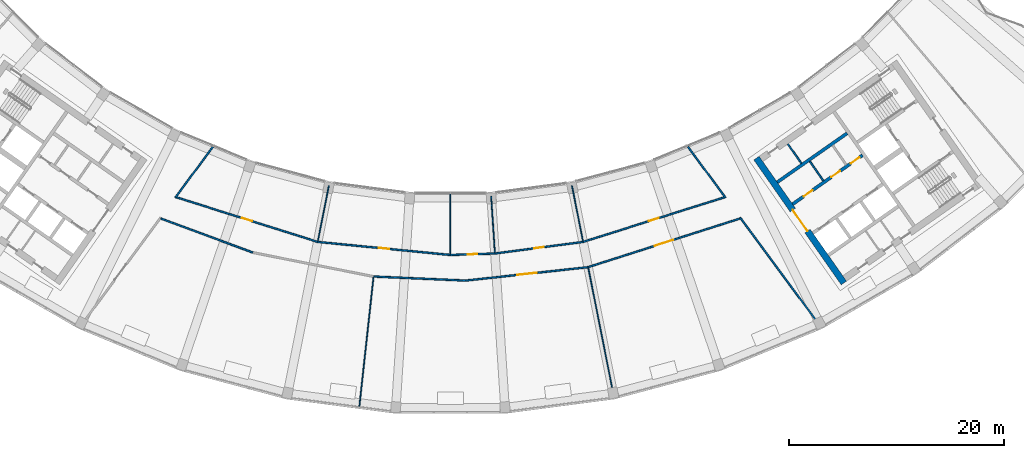
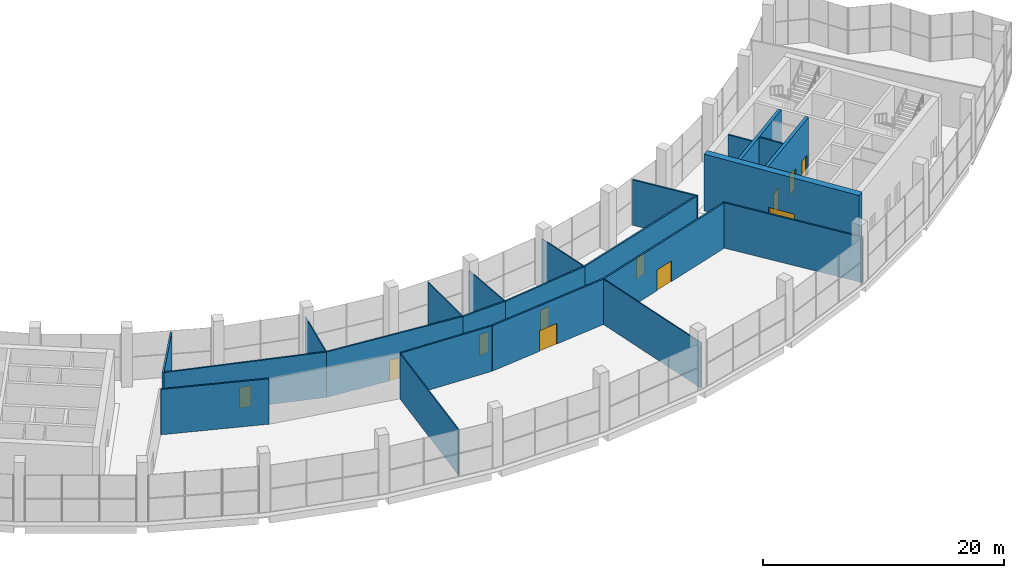
# One storey, part 4 of 41: 23 walls, 11 doors, 11 openings.
"""IFC4 building model written with IfcOpenShell, lengths in metres."""

from ifc_helpers import new_model, si_unit, direction, frame, frame_2d, origin, place, context, subcontext, project, spatial, rectangle, extrude, material, layer, layer_set, type_object, element, fill, save


model = new_model("IFC4")

# Units and contexts
model_context = context("Model", 3, precision=1e-05, world=origin(), true_north=direction((0.0, 1.0)))
body_context = subcontext(model_context, "Body", "Model", "MODEL_VIEW")
ifc_project = project(units=[si_unit("LENGTHUNIT", "METRE"), si_unit("AREAUNIT", "SQUARE_METRE"), si_unit("VOLUMEUNIT", "CUBIC_METRE"), si_unit("PLANEANGLEUNIT", "RADIAN"), si_unit("MASSUNIT", "GRAM", prefix="KILO")], contexts=[model_context])

# Site, building, storey
site_placement = place(None, origin())
site = spatial("IfcSite", under=ifc_project, at=site_placement, CompositionType="ELEMENT")
building_placement = place(site_placement, origin())
building = spatial("IfcBuilding", under=site, at=building_placement, Name="Qamariyya Broadcast Tower", CompositionType="ELEMENT")
storey_placement = place(building_placement, frame((0.0, 0.0, 284.699951171875)))
storey = spatial("IfcBuildingStorey", under=building, at=storey_placement, Name="L69", CompositionType="ELEMENT", Elevation=284.699951171875)

# Wall, opening, door
ifc_material_1 = material(Name="Concrete C60/75", Category="concrete")
ifc_layer_1 = layer(ifc_material_1, 0.60009765625)
ifc_layer_set_1 = layer_set([ifc_layer_1], Name="Core wall 600 mm Concrete C60/75")
wall_type_1 = type_object("IfcWallType", Name="Core wall 600 mm Concrete C60/75", PredefinedType="SHEAR", material=ifc_layer_set_1)
wall_1_placement = place(storey_placement, frame((36.66748046875, -66.005126953125, 0.0), z_axis=(0.0, 0.0, 1.0), x_axis=(-0.573568499524, 0.819157601658, 0.0)))
wall_1 = element("IfcWall", 1, at=wall_1_placement, inside=storey, type_object=wall_type_1, Name="k-E-L69-WA", PredefinedType="SHEAR", context=body_context, shape_type="SweptSolid", body=[
    extrude(rectangle(XDim=14.19970703125, YDim=0.60009765625, at=frame_2d((7.099853515625, 0.0))), origin(), (0.0, 0.0, 1.0), 5.75),
])
opening_1_placement = place(wall_1_placement, frame((5.89990234375, 0.0, 0.0)))
opening_1 = element("IfcOpeningElement", 2, at=opening_1_placement, cuts=wall_1, Name="Opening KD3-E1", PredefinedType="OPENING", context=body_context, shape_type="SweptSolid", body=[
    extrude(rectangle(XDim=2.39990234375, YDim=2.10009765625, at=frame_2d((1.199951171875, 1.050048828125))), frame((0.0, 0.31005859375, 0.0), z_axis=(0.0, -1.0, 0.0), x_axis=(1.0, 0.0, 0.0)), (0.0, 0.0, 1.0), 0.6201171875),
])
ifc_material_2 = material(Name="Steel fire-resisting door leaf", Category="steel")
door_type_1 = type_object("IfcDoorType", Name="Lift lobby door KD3", OperationType="DOUBLE_DOOR_SINGLE_SWING", PredefinedType="DOOR", material=ifc_material_2)
door_1_placement = place(opening_1_placement, origin())
door_1 = element("IfcDoor", 3, at=door_1_placement, inside=storey, type_object=door_type_1, Name="k-E-L69-WA-D1", OperationType="DOUBLE_DOOR_SINGLE_SWING", OverallHeight=2.10009765625, OverallWidth=2.39990234375, PredefinedType="DOOR", context=body_context, shape_type="SweptSolid", body=[
    extrude(rectangle(XDim=2.39990234375, YDim=2.10009765625, at=frame_2d((1.199951171875, 1.050048828125))), frame((0.0, 0.02490234375, 0.0), z_axis=(0.0, -1.0, 0.0), x_axis=(1.0, 0.0, 0.0)), (0.0, 0.0, 1.0), 0.050048828125),
])
fill(opening_1, door_1)

# Wall
ifc_material_3 = material(Name="Gypsum board partition")
ifc_layer_2 = layer(ifc_material_3, 0.14990234375)
ifc_layer_set_2 = layer_set([ifc_layer_2], Name="Corridor partition 150 EI 60")
wall_type_2 = type_object("IfcWallType", Name="Corridor partition 150 EI 60", PredefinedType="PARTITIONING", material=ifc_layer_set_2)
wall_2_placement = place(storey_placement, frame((-26.987060546875, -60.00537109375, 0.0), z_axis=(0.0, 0.0, 1.0), x_axis=(0.938089923495, -0.346391823571, 0.0)))
element("IfcWall", 4, at=wall_2_placement, inside=storey, type_object=wall_type_2, Name="Partition L69-003", PredefinedType="PARTITIONING", context=body_context, shape_type="SweptSolid", body=[
    extrude(rectangle(XDim=9.12939453125, YDim=0.14990234375, at=frame_2d((4.564697265625, 0.0))), origin(), (0.0, 0.0, 1.0), 4.60009765625),
])

# Wall, opening, door
wall_3_placement = place(storey_placement, frame((-25.526611328125, -58.025146484375, 0.0), z_axis=(0.0, 0.0, 1.0), x_axis=(0.953549502203, -0.301236363754, 0.0)))
wall_3 = element("IfcWall", 5, at=wall_3_placement, inside=storey, type_object=wall_type_2, Name="Partition L69-004", PredefinedType="PARTITIONING", context=body_context, shape_type="SweptSolid", body=[
    extrude(rectangle(XDim=13.798828125, YDim=0.14990234375, at=frame_2d((6.8994140625, 0.0))), origin(), (0.0, 0.0, 1.0), 4.60009765625),
])
opening_2_placement = place(wall_3_placement, frame((6.3994140625, 0.0, 0.0)))
opening_2 = element("IfcOpeningElement", 6, at=opening_2_placement, cuts=wall_3, Name="Opening L69-D04", PredefinedType="OPENING", context=body_context, shape_type="SweptSolid", body=[
    extrude(rectangle(XDim=1.0, YDim=2.10009765625, at=frame_2d((0.5, 1.050048828125))), frame((0.0, 0.0849609375, 0.0), z_axis=(0.0, -1.0, 0.0), x_axis=(1.0, 0.0, 0.0)), (0.0, 0.0, 1.0), 0.169921875),
])
ifc_material_4 = material(Name="Timber fire door leaf", Category="wood")
door_type_2 = type_object("IfcDoorType", Name="Fire door 1000 x 2100 FD60", OperationType="NOTDEFINED", PredefinedType="DOOR", material=ifc_material_4)
door_2_placement = place(opening_2_placement, origin())
door_2 = element("IfcDoor", 7, at=door_2_placement, inside=storey, type_object=door_type_2, Name="Door L69-D04", OperationType="SINGLE_SWING_RIGHT", OverallHeight=2.10009765625, OverallWidth=1.0, PredefinedType="DOOR", context=body_context, shape_type="SweptSolid", body=[
    extrude(rectangle(XDim=1.0, YDim=2.10009765625, at=frame_2d((0.5, 1.050048828125))), frame((0.0, 0.02490234375, 0.0), z_axis=(0.0, -1.0, 0.0), x_axis=(1.0, 0.0, 0.0)), (0.0, 0.0, 1.0), 0.050048828125),
])
fill(opening_2, door_2)

# Wall
wall_4_placement = place(storey_placement, frame((-22.13671875, -53.3134765625, 0.0), z_axis=(0.0, 0.0, 1.0), x_axis=(-0.593881617934, -0.804552436998, 0.0)))
element("IfcWall", 8, at=wall_4_placement, inside=storey, type_object=wall_type_2, Name="Partition L69-005", PredefinedType="PARTITIONING", context=body_context, shape_type="SweptSolid", body=[
    extrude(rectangle(XDim=5.9033203125, YDim=0.14990234375, at=frame_2d((2.95166015625, 0.0))), origin(), (0.0, 0.0, 1.0), 4.60009765625),
])

# Wall, opening, door
wall_5_placement = place(storey_placement, frame((-12.36865234375, -62.181884765625, 0.0), z_axis=(0.0, 0.0, 1.0), x_axis=(0.995186204818, -0.098002131298, 0.0)))
wall_5 = element("IfcWall", 9, at=wall_5_placement, inside=storey, type_object=wall_type_2, Name="Partition L69-007", PredefinedType="PARTITIONING", context=body_context, shape_type="SweptSolid", body=[
    extrude(rectangle(XDim=12.428466796875, YDim=0.14990234375, at=frame_2d((6.21435546875, 0.0))), origin(), (0.0, 0.0, 1.0), 4.60009765625),
])
opening_3_placement = place(wall_5_placement, frame((5.71435546875, 0.0, 0.0)))
opening_3 = element("IfcOpeningElement", 10, at=opening_3_placement, cuts=wall_5, Name="Opening L69-D05", PredefinedType="OPENING", context=body_context, shape_type="SweptSolid", body=[
    extrude(rectangle(XDim=1.0, YDim=2.10009765625, at=frame_2d((0.5, 1.050048828125))), frame((0.0, 0.0849609375, 0.0), z_axis=(0.0, -1.0, 0.0), x_axis=(1.0, 0.0, 0.0)), (0.0, 0.0, 1.0), 0.169921875),
])
door_3_placement = place(opening_3_placement, origin())
door_3 = element("IfcDoor", 11, at=door_3_placement, inside=storey, type_object=door_type_2, Name="Door L69-D05", OperationType="SINGLE_SWING_RIGHT", OverallHeight=2.10009765625, OverallWidth=1.0, PredefinedType="DOOR", context=body_context, shape_type="SweptSolid", body=[
    extrude(rectangle(XDim=1.0, YDim=2.10009765625, at=frame_2d((0.5, 1.050048828125))), frame((0.0, 0.02490234375, 0.0), z_axis=(0.0, -1.0, 0.0), x_axis=(1.0, 0.0, 0.0)), (0.0, 0.0, 1.0), 0.050048828125),
])
fill(opening_3, door_3)

# Wall
wall_6_placement = place(storey_placement, frame((-7.16162109375, -65.4091796875, 0.0), z_axis=(0.0, 0.0, 1.0), x_axis=(0.999049718539, -0.043585087906, 0.0)))
element("IfcWall", 12, at=wall_6_placement, inside=storey, type_object=wall_type_2, Name="Partition L69-010", PredefinedType="PARTITIONING", context=body_context, shape_type="SweptSolid", body=[
    extrude(rectangle(XDim=8.59814453125, YDim=0.14990234375, at=frame_2d((4.299072265625, 0.0))), origin(), (0.0, 0.0, 1.0), 4.60009765625),
])

# Wall, opening, door
wall_7_placement = place(storey_placement, frame((0.0, -63.39990234375, 0.0), z_axis=(0.0, 0.0, 1.0), x_axis=(0.999464584765, 0.032719165634, 0.0)))
wall_7 = element("IfcWall", 13, at=wall_7_placement, inside=storey, type_object=wall_type_2, Name="Partition L69-011", PredefinedType="PARTITIONING", context=body_context, shape_type="SweptSolid", body=[
    extrude(rectangle(XDim=4.148681640625, YDim=0.14990234375, at=frame_2d((2.07421875, 0.0))), origin(), (0.0, 0.0, 1.0), 4.60009765625),
])
opening_4_placement = place(wall_7_placement, frame((1.62451171875, 0.0, 0.0)))
opening_4 = element("IfcOpeningElement", 14, at=opening_4_placement, cuts=wall_7, Name="Opening L69-D06", PredefinedType="OPENING", context=body_context, shape_type="SweptSolid", body=[
    extrude(rectangle(XDim=0.89990234375, YDim=2.10009765625, at=frame_2d((0.449951171875, 1.050048828125))), frame((0.0, 0.0849609375, 0.0), z_axis=(0.0, -1.0, 0.0), x_axis=(1.0, 0.0, 0.0)), (0.0, 0.0, 1.0), 0.169921875),
])
door_type_3 = type_object("IfcDoorType", Name="Fire door 900 x 2100 FD60", OperationType="NOTDEFINED", PredefinedType="DOOR", material=ifc_material_4)
door_4_placement = place(opening_4_placement, origin())
door_4 = element("IfcDoor", 15, at=door_4_placement, inside=storey, type_object=door_type_3, Name="Door L69-D06", OperationType="SINGLE_SWING_RIGHT", OverallHeight=2.10009765625, OverallWidth=0.89990234375, PredefinedType="DOOR", context=body_context, shape_type="SweptSolid", body=[
    extrude(rectangle(XDim=0.89990234375, YDim=2.10009765625, at=frame_2d((0.449951171875, 1.050048828125))), frame((0.0, 0.02490234375, 0.0), z_axis=(0.0, -1.0, 0.0), x_axis=(1.0, 0.0, 0.0)), (0.0, 0.0, 1.0), 0.050048828125),
])
fill(opening_4, door_4)

wall_8_placement = place(storey_placement, frame((12.8369140625, -64.53564453125, 0.0), z_axis=(0.0, 0.0, 1.0), x_axis=(-0.994053507751, -0.108892716594, 0.0)))
wall_8 = element("IfcWall", 16, at=wall_8_placement, inside=storey, type_object=wall_type_2, Name="Partition L69-013", PredefinedType="PARTITIONING", context=body_context, shape_type="SweptSolid", body=[
    extrude(rectangle(XDim=11.458984375, YDim=0.14990234375, at=frame_2d((5.7294921875, 0.0))), origin(), (0.0, 0.0, 1.0), 4.60009765625),
])
opening_5_placement = place(wall_8_placement, frame((4.82958984375, 0.0, 0.0)))
opening_5 = element("IfcOpeningElement", 17, at=opening_5_placement, cuts=wall_8, Name="Opening L69-D02", PredefinedType="OPENING", context=body_context, shape_type="SweptSolid", body=[
    extrude(rectangle(XDim=1.800048828125, YDim=2.10009765625, at=frame_2d((0.89990234375, 1.050048828125))), frame((0.0, 0.0849609375, 0.0), z_axis=(0.0, -1.0, 0.0), x_axis=(1.0, 0.0, 0.0)), (0.0, 0.0, 1.0), 0.169921875),
])
door_type_4 = type_object("IfcDoorType", Name="Double fire door 1800 x 2100 FD60", OperationType="NOTDEFINED", PredefinedType="DOOR", material=ifc_material_4)
door_5_placement = place(opening_5_placement, origin())
door_5 = element("IfcDoor", 18, at=door_5_placement, inside=storey, type_object=door_type_4, Name="Door L69-D02", OperationType="DOUBLE_DOOR_SINGLE_SWING", OverallHeight=2.10009765625, OverallWidth=1.800048828125, PredefinedType="DOOR", context=body_context, shape_type="SweptSolid", body=[
    extrude(rectangle(XDim=1.800048828125, YDim=2.10009765625, at=frame_2d((0.89990234375, 1.050048828125))), frame((0.0, 0.02490234375, 0.0), z_axis=(0.0, -1.0, 0.0), x_axis=(1.0, 0.0, 0.0)), (0.0, 0.0, 1.0), 0.050048828125),
])
fill(opening_5, door_5)

wall_9_placement = place(storey_placement, frame((4.146484375, -63.26416015625, 0.0), z_axis=(0.0, 0.0, 1.0), x_axis=(0.991447881484, 0.130503250152, 0.0)))
wall_9 = element("IfcWall", 19, at=wall_9_placement, inside=storey, type_object=wall_type_2, Name="Partition L69-015", PredefinedType="PARTITIONING", context=body_context, shape_type="SweptSolid", body=[
    extrude(rectangle(XDim=8.293212890625, YDim=0.14990234375, at=frame_2d((4.146484375, 0.0))), origin(), (0.0, 0.0, 1.0), 4.60009765625),
])
opening_6_placement = place(wall_9_placement, frame((3.696533203125, 0.0, 0.0)))
opening_6 = element("IfcOpeningElement", 20, at=opening_6_placement, cuts=wall_9, Name="Opening L69-D07", PredefinedType="OPENING", context=body_context, shape_type="SweptSolid", body=[
    extrude(rectangle(XDim=0.89990234375, YDim=2.10009765625, at=frame_2d((0.449951171875, 1.050048828125))), frame((0.0, 0.0849609375, 0.0), z_axis=(0.0, -1.0, 0.0), x_axis=(1.0, 0.0, 0.0)), (0.0, 0.0, 1.0), 0.169921875),
])
door_6_placement = place(opening_6_placement, origin())
door_6 = element("IfcDoor", 21, at=door_6_placement, inside=storey, type_object=door_type_3, Name="Door L69-D07", OperationType="SINGLE_SWING_RIGHT", OverallHeight=2.10009765625, OverallWidth=0.89990234375, PredefinedType="DOOR", context=body_context, shape_type="SweptSolid", body=[
    extrude(rectangle(XDim=0.89990234375, YDim=2.10009765625, at=frame_2d((0.449951171875, 1.050048828125))), frame((0.0, 0.02490234375, 0.0), z_axis=(0.0, -1.0, 0.0), x_axis=(1.0, 0.0, 0.0)), (0.0, 0.0, 1.0), 0.050048828125),
])
fill(opening_6, door_6)

wall_10_placement = place(storey_placement, frame((12.36865234375, -62.181884765625, 0.0), z_axis=(0.0, 0.0, 1.0), x_axis=(0.953549502203, 0.301236363754, 0.0)))
wall_10 = element("IfcWall", 22, at=wall_10_placement, inside=storey, type_object=wall_type_2, Name="Partition L69-017", PredefinedType="PARTITIONING", context=body_context, shape_type="SweptSolid", body=[
    extrude(rectangle(XDim=13.798828125, YDim=0.14990234375, at=frame_2d((6.8994140625, 0.0))), origin(), (0.0, 0.0, 1.0), 4.60009765625),
])
opening_7_placement = place(wall_10_placement, frame((6.3994140625, 0.0, 0.0)))
opening_7 = element("IfcOpeningElement", 23, at=opening_7_placement, cuts=wall_10, Name="Opening L69-D08", PredefinedType="OPENING", context=body_context, shape_type="SweptSolid", body=[
    extrude(rectangle(XDim=1.0, YDim=2.10009765625, at=frame_2d((0.5, 1.050048828125))), frame((0.0, 0.0849609375, 0.0), z_axis=(0.0, -1.0, 0.0), x_axis=(1.0, 0.0, 0.0)), (0.0, 0.0, 1.0), 0.169921875),
])
door_7_placement = place(opening_7_placement, origin())
door_7 = element("IfcDoor", 24, at=door_7_placement, inside=storey, type_object=door_type_2, Name="Door L69-D08", OperationType="SINGLE_SWING_RIGHT", OverallHeight=2.10009765625, OverallWidth=1.0, PredefinedType="DOOR", context=body_context, shape_type="SweptSolid", body=[
    extrude(rectangle(XDim=1.0, YDim=2.10009765625, at=frame_2d((0.5, 1.050048828125))), frame((0.0, 0.02490234375, 0.0), z_axis=(0.0, -1.0, 0.0), x_axis=(1.0, 0.0, 0.0)), (0.0, 0.0, 1.0), 0.050048828125),
])
fill(opening_7, door_7)

wall_11_placement = place(storey_placement, frame((26.986083984375, -60.00244140625, 0.0), z_axis=(0.0, 0.0, 1.0), x_axis=(-0.952317244824, -0.305109595408, 0.0)))
wall_11 = element("IfcWall", 25, at=wall_11_placement, inside=storey, type_object=wall_type_2, Name="Partition L69-018", PredefinedType="PARTITIONING", context=body_context, shape_type="SweptSolid", body=[
    extrude(rectangle(XDim=14.857666015625, YDim=0.14990234375, at=frame_2d((7.4287109375, 0.0))), origin(), (0.0, 0.0, 1.0), 4.60009765625),
])
opening_8_placement = place(wall_11_placement, frame((6.52880859375, 0.0, 0.0)))
opening_8 = element("IfcOpeningElement", 26, at=opening_8_placement, cuts=wall_11, Name="Opening L69-D03", PredefinedType="OPENING", context=body_context, shape_type="SweptSolid", body=[
    extrude(rectangle(XDim=1.800048828125, YDim=2.10009765625, at=frame_2d((0.89990234375, 1.050048828125))), frame((0.0, 0.0849609375, 0.0), z_axis=(0.0, -1.0, 0.0), x_axis=(1.0, 0.0, 0.0)), (0.0, 0.0, 1.0), 0.169921875),
])
door_8_placement = place(opening_8_placement, origin())
door_8 = element("IfcDoor", 27, at=door_8_placement, inside=storey, type_object=door_type_4, Name="Door L69-D03", OperationType="DOUBLE_DOOR_SINGLE_SWING", OverallHeight=2.10009765625, OverallWidth=1.800048828125, PredefinedType="DOOR", context=body_context, shape_type="SweptSolid", body=[
    extrude(rectangle(XDim=1.800048828125, YDim=2.10009765625, at=frame_2d((0.89990234375, 1.050048828125))), frame((0.0, 0.02490234375, 0.0), z_axis=(0.0, -1.0, 0.0), x_axis=(1.0, 0.0, 0.0)), (0.0, 0.0, 1.0), 0.050048828125),
])
fill(opening_8, door_8)

# Walls
wall_12_placement = place(storey_placement, frame((22.13671875, -53.3134765625, 0.0), z_axis=(0.0, 0.0, 1.0), x_axis=(0.593881617934, -0.804552436998, 0.0)))
element("IfcWall", 28, at=wall_12_placement, inside=storey, type_object=wall_type_2, Name="Partition L69-020", PredefinedType="PARTITIONING", context=body_context, shape_type="SweptSolid", body=[
    extrude(rectangle(XDim=5.9033203125, YDim=0.14990234375, at=frame_2d((2.95166015625, 0.0))), origin(), (0.0, 0.0, 1.0), 4.60009765625),
])
wall_13_placement = place(storey_placement, frame((27.012939453125, -59.919189453125, 0.0), z_axis=(0.0, 0.0, 1.0), x_axis=(0.593869528805, -0.804561360467, 0.0)))
element("IfcWall", 29, at=wall_13_placement, inside=storey, type_object=wall_type_2, Name="Partition L69-021", PredefinedType="PARTITIONING", context=body_context, shape_type="SweptSolid", body=[
    extrude(rectangle(XDim=12.665283203125, YDim=0.14990234375, at=frame_2d((6.33251953125, 0.0))), origin(), (0.0, 0.0, 1.0), 4.60009765625),
])
ifc_material_5 = material(Name="Gypsum board partition on steel studs", Category="steel")
ifc_layer_3 = layer(ifc_material_5, 0.14990234375)
ifc_layer_set_3 = layer_set([ifc_layer_3], Name="Gypsum board partition 150 mm")
wall_type_3 = type_object("IfcWallType", Name="Gypsum board partition 150 mm", PredefinedType="PARTITIONING", material=ifc_layer_set_3)
for number, where, z_axis, x_axis, name in (
    (30, (34.757568359375, -56.477783203125, 0.0), (0.0, 0.0, 1.0), (-0.573633636671, 0.819111989218, 0.0), "k-E-L69-NC360"),
    (31, (32.709228515625, -54.860107421875, 0.0), (0.0, 0.0, 1.0), (-0.573633636671, 0.819111989218, 0.0), "k-E-L69-NP285"),
):
    element("IfcWall", number, at=place(storey_placement, frame(where, z_axis=z_axis, x_axis=x_axis)), inside=storey, type_object=wall_type_3, Name=name, PredefinedType="PARTITIONING", context=body_context, shape_type="SweptSolid", body=[
        extrude(rectangle(XDim=2.199951171875, YDim=0.14990234375, at=frame_2d((1.10009765625, 0.0))), origin(), (0.0, 0.0, 1.0), 5.75),
    ])

# Wall, openings, doors
ifc_layer_4 = layer(ifc_material_1, 0.300048828125)
ifc_layer_set_4 = layer_set([ifc_layer_4], Name="Lift shaft wall 300 mm Concrete C60/75")
wall_type_4 = type_object("IfcWallType", Name="Lift shaft wall 300 mm Concrete C60/75", PredefinedType="SOLIDWALL", material=ifc_layer_set_4)
wall_14_placement = place(storey_placement, frame((31.89453125, -58.66552734375, 0.0), z_axis=(0.0, 0.0, 1.0), x_axis=(0.819166993208, 0.573555086491, 0.0)))
wall_14 = element("IfcWall", 32, at=wall_14_placement, inside=storey, type_object=wall_type_4, Name="k-E-L69-NF0", PredefinedType="SOLIDWALL", context=body_context, shape_type="SweptSolid", body=[
    extrude(rectangle(XDim=7.9501953125, YDim=0.300048828125, at=frame_2d((3.97509765625, 0.0))), origin(), (0.0, 0.0, 1.0), 5.75),
])
opening_9_placement = place(wall_14_placement, frame((1.262451171875, 0.0, 0.0)))
opening_9 = element("IfcOpeningElement", 33, at=opening_9_placement, cuts=wall_14, Name="Opening KD4-E1", PredefinedType="OPENING", context=body_context, shape_type="SweptSolid", body=[
    extrude(rectangle(XDim=1.0, YDim=2.10009765625, at=frame_2d((0.5, 1.050048828125))), frame((0.0, 0.159912109375, 0.0), z_axis=(0.0, -1.0, 0.0), x_axis=(1.0, 0.0, 0.0)), (0.0, 0.0, 1.0), 0.320068359375),
])
opening_10_placement = place(wall_14_placement, frame((4.39990234375, 0.0, 0.0)))
opening_10 = element("IfcOpeningElement", 34, at=opening_10_placement, cuts=wall_14, Name="Opening KD6-E1", PredefinedType="OPENING", context=body_context, shape_type="SweptSolid", body=[
    extrude(rectangle(XDim=1.0, YDim=2.10009765625, at=frame_2d((0.5, 1.050048828125))), frame((0.0, 0.159912109375, 0.0), z_axis=(0.0, -1.0, 0.0), x_axis=(1.0, 0.0, 0.0)), (0.0, 0.0, 1.0), 0.320068359375),
])
opening_11_placement = place(wall_14_placement, frame((6.612548828125, 0.0, 0.0)))
opening_11 = element("IfcOpeningElement", 35, at=opening_11_placement, cuts=wall_14, Name="Opening KD6-E2", PredefinedType="OPENING", context=body_context, shape_type="SweptSolid", body=[
    extrude(rectangle(XDim=1.0, YDim=2.10009765625, at=frame_2d((0.5, 1.050048828125))), frame((0.0, 0.159912109375, 0.0), z_axis=(0.0, -1.0, 0.0), x_axis=(1.0, 0.0, 0.0)), (0.0, 0.0, 1.0), 0.320068359375),
])
door_type_5 = type_object("IfcDoorType", Name="Core room door KD6", OperationType="SINGLE_SWING_LEFT", PredefinedType="DOOR", material=ifc_material_2)
door_9_placement = place(opening_10_placement, origin())
door_9 = element("IfcDoor", 36, at=door_9_placement, inside=storey, type_object=door_type_5, Name="k-E-L69-NF0-D3", OperationType="SINGLE_SWING_LEFT", OverallHeight=2.10009765625, OverallWidth=1.0, PredefinedType="DOOR", context=body_context, shape_type="SweptSolid", body=[
    extrude(rectangle(XDim=1.0, YDim=2.10009765625, at=frame_2d((0.5, 1.050048828125))), frame((0.0, 0.02490234375, 0.0), z_axis=(0.0, -1.0, 0.0), x_axis=(1.0, 0.0, 0.0)), (0.0, 0.0, 1.0), 0.050048828125),
])
fill(opening_10, door_9)
door_10_placement = place(opening_11_placement, origin())
door_10 = element("IfcDoor", 37, at=door_10_placement, inside=storey, type_object=door_type_5, Name="k-E-L69-NF0-D4", OperationType="SINGLE_SWING_RIGHT", OverallHeight=2.10009765625, OverallWidth=1.0, PredefinedType="DOOR", context=body_context, shape_type="SweptSolid", body=[
    extrude(rectangle(XDim=1.0, YDim=2.10009765625, at=frame_2d((0.5, 1.050048828125))), frame((0.0, 0.02490234375, 0.0), z_axis=(0.0, -1.0, 0.0), x_axis=(1.0, 0.0, 0.0)), (0.0, 0.0, 1.0), 0.050048828125),
])
fill(opening_11, door_10)
door_type_6 = type_object("IfcDoorType", Name="Riser and plant door KD4", OperationType="SINGLE_SWING_LEFT", PredefinedType="DOOR", material=ifc_material_2)
door_11_placement = place(opening_9_placement, origin())
door_11 = element("IfcDoor", 38, at=door_11_placement, inside=storey, type_object=door_type_6, Name="k-E-L69-NF0-D2", OperationType="SINGLE_SWING_RIGHT", OverallHeight=2.10009765625, OverallWidth=1.0, PredefinedType="DOOR", context=body_context, shape_type="SweptSolid", body=[
    extrude(rectangle(XDim=1.0, YDim=2.10009765625, at=frame_2d((0.5, 1.050048828125))), frame((0.0, 0.02490234375, 0.0), z_axis=(0.0, -1.0, 0.0), x_axis=(1.0, 0.0, 0.0)), (0.0, 0.0, 1.0), 0.050048828125),
])
fill(opening_9, door_11)

# Walls
wall_15_placement = place(storey_placement, frame((30.460693359375, -56.61767578125, 0.0), z_axis=(0.0, 0.0, 1.0), x_axis=(0.819142461705, 0.573590121456, 0.0)))
element("IfcWall", 39, at=wall_15_placement, inside=storey, type_object=wall_type_4, Name="k-E-L69-NB0", PredefinedType="SOLIDWALL", context=body_context, shape_type="SweptSolid", body=[
    extrude(rectangle(XDim=7.949951171875, YDim=0.300048828125, at=frame_2d((3.97509765625, 0.0))), origin(), (0.0, 0.0, 1.0), 5.75),
])
ifc_layer_5 = layer(ifc_material_3, 0.10009765625)
ifc_layer_set_5 = layer_set([ifc_layer_5], Name="Partition 100")
wall_type_5 = type_object("IfcWallType", Name="Partition 100", PredefinedType="PARTITIONING", material=ifc_layer_set_5)
wall_16_placement = place(storey_placement, frame((-11.324951171875, -56.9345703125, 0.0), z_axis=(0.0, 0.0, 1.0), x_axis=(-0.195083555743, -0.980786626274, 0.0)))
element("IfcWall", 40, at=wall_16_placement, inside=storey, type_object=wall_type_5, Name="Partition L69-008", PredefinedType="PARTITIONING", context=body_context, shape_type="SweptSolid", body=[
    extrude(rectangle(XDim=5.27490234375, YDim=0.10009765625, at=frame_2d((2.637451171875, 0.0))), origin(), (0.0, 0.0, 1.0), 4.60009765625),
])
wall_17_placement = place(storey_placement, frame((-8.489501953125, -77.53759765625, 0.0), z_axis=(0.0, 0.0, 1.0), x_axis=(0.108842544862, 0.994059002488, 0.0)))
element("IfcWall", 41, at=wall_17_placement, inside=storey, type_object=wall_type_5, Name="Partition L69-009", PredefinedType="PARTITIONING", context=body_context, shape_type="SweptSolid", body=[
    extrude(rectangle(XDim=12.1259765625, YDim=0.10009765625, at=frame_2d((6.06298828125, 0.0))), origin(), (0.0, 0.0, 1.0), 4.60009765625),
])
wall_18_placement = place(storey_placement, frame((0.0, -57.7265625, 0.0), z_axis=(0.0, 0.0, 1.0), x_axis=(0.0, -1.0, 0.0)))
element("IfcWall", 42, at=wall_18_placement, inside=storey, type_object=wall_type_5, Name="Partition L69-012", PredefinedType="PARTITIONING", context=body_context, shape_type="SweptSolid", body=[
    extrude(rectangle(XDim=5.598388671875, YDim=0.10009765625, at=frame_2d((2.79931640625, 0.0))), origin(), (0.0, 0.0, 1.0), 4.60009765625),
])
for number, where, z_axis, x_axis, name in (
    (43, (3.796630859375, -57.92578125, 0.0), (0.0, 0.0, 1.0), (0.065397734607, -0.997859276806, 0.0), "Partition L69-014"),
    (44, (11.324951171875, -56.9345703125, 0.0), (0.0, 0.0, 1.0), (0.195083555743, -0.980786626274, 0.0), "Partition L69-016"),
):
    element("IfcWall", number, at=place(storey_placement, frame(where, z_axis=z_axis, x_axis=x_axis)), inside=storey, type_object=wall_type_5, Name=name, PredefinedType="PARTITIONING", context=body_context, shape_type="SweptSolid", body=[
        extrude(rectangle(XDim=5.27490234375, YDim=0.10009765625, at=frame_2d((2.637451171875, 0.0))), origin(), (0.0, 0.0, 1.0), 4.60009765625),
    ])
wall_19_placement = place(storey_placement, frame((15.246337890625, -76.6484375, 0.0), z_axis=(0.0, 0.0, 1.0), x_axis=(-0.195090980681, 0.980785149386, 0.0)))
element("IfcWall", 45, at=wall_19_placement, inside=storey, type_object=wall_type_5, Name="Partition L69-019", PredefinedType="PARTITIONING", context=body_context, shape_type="SweptSolid", body=[
    extrude(rectangle(XDim=12.275146484375, YDim=0.10009765625, at=frame_2d((6.1376953125, 0.0))), origin(), (0.0, 0.0, 1.0), 4.60009765625),
])

save(model, "model.ifc")
